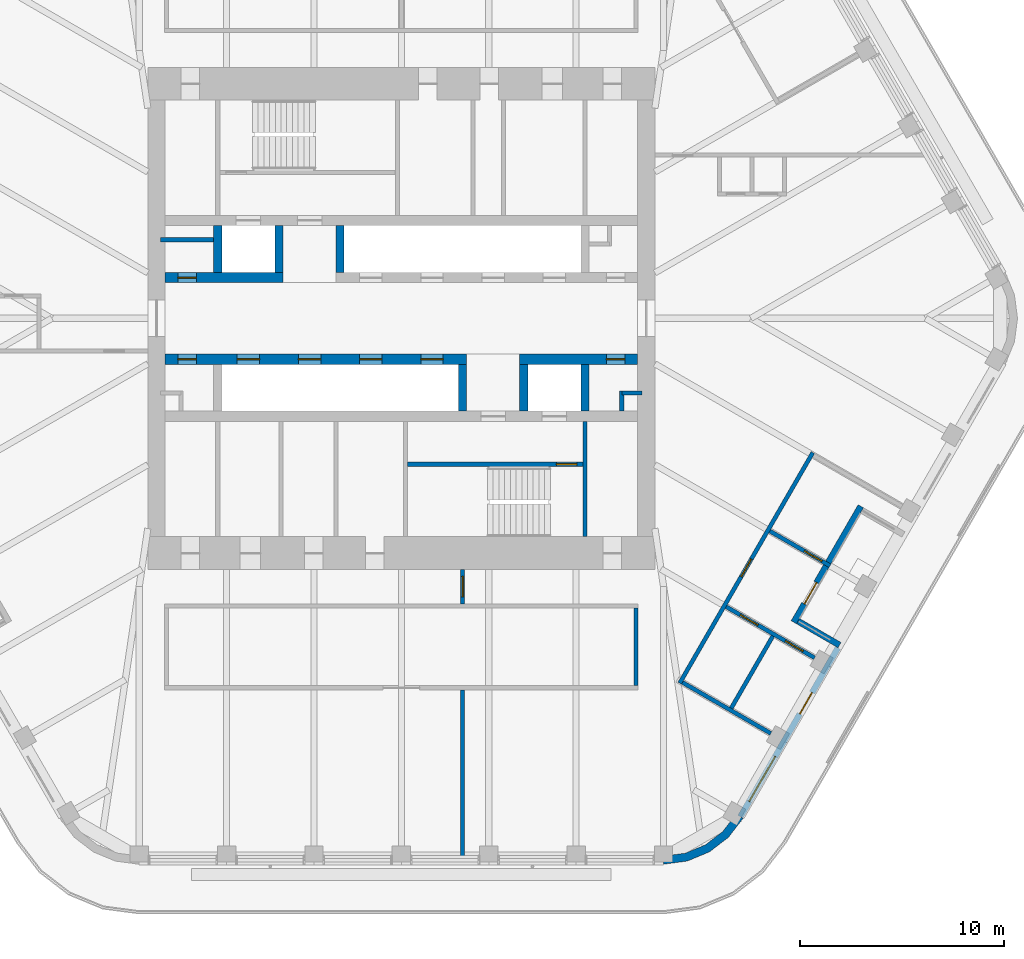
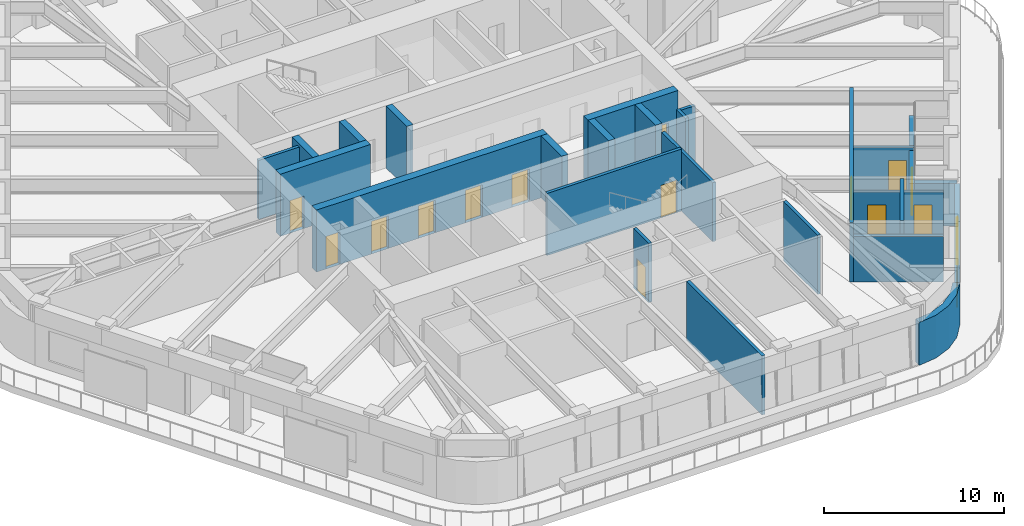
# One storey, part 14 of 19: 26 walls, 15 doors, 1 window, 16 openings.
"""IFC4 building model written with IfcOpenShell, lengths in metres."""

from ifc_helpers import new_model, si_unit, direction, frame, frame_2d, origin, place, context, subcontext, project, spatial, polyline, rectangle, outline, extrude, material, layer, layer_set, type_object, element, fill, save


model = new_model("IFC4")

# Units and contexts
model_context = context("Model", 3, precision=1e-05, world=origin(), true_north=direction((0.0, 1.0)))
body_context = subcontext(model_context, "Body", "Model", "MODEL_VIEW")
ifc_project = project(units=[si_unit("LENGTHUNIT", "METRE"), si_unit("AREAUNIT", "SQUARE_METRE"), si_unit("VOLUMEUNIT", "CUBIC_METRE"), si_unit("PLANEANGLEUNIT", "RADIAN"), si_unit("MASSUNIT", "GRAM", prefix="KILO")], contexts=[model_context])

# Site, building, storey
site_placement = place(None, origin())
site = spatial("IfcSite", under=ifc_project, at=site_placement, CompositionType="ELEMENT")
building_placement = place(site_placement, origin())
building = spatial("IfcBuilding", under=site, at=building_placement, Name="Tarfa Lantern Tower", CompositionType="ELEMENT")
storey_placement = place(building_placement, frame((0.0, 0.0, 361.89990234375)))
storey = spatial("IfcBuildingStorey", under=building, at=storey_placement, Name="L82", CompositionType="ELEMENT", Elevation=361.89990234375)

# Wall, openings, door, window
ifc_material_1 = material(Name="Limestone cladding on blockwork", Category="masonry")
ifc_layer_1 = layer(ifc_material_1, 0.300048828125)
ifc_layer_set_1 = layer_set([ifc_layer_1], Name="EW1 STONE-CLAD WALL 300")
wall_type_1 = type_object("IfcWallType", Name="EW1 STONE-CLAD WALL 300", PredefinedType="SOLIDWALL", material=ifc_layer_set_1)
wall_1_placement = place(storey_placement, frame((16.61328125, -24.425048828125, 0.0), z_axis=(0.0, 0.0, 1.0), x_axis=(0.499996453679, 0.866027451244, 0.0)))
wall_1 = element("IfcWall", 1, at=wall_1_placement, inside=storey, type_object=wall_type_1, Name="Stone wall SE", PredefinedType="SOLIDWALL", context=body_context, shape_type="SweptSolid", body=[
    extrude(rectangle(XDim=9.56396484375, YDim=0.300048828125, at=frame_2d((4.781982421875, 0.0))), origin(), (0.0, 0.0, 1.0), 2.900146484375),
])
opening_1_placement = place(wall_1_placement, frame((0.865966796875, 0.0, 0.60009765625)))
opening_1 = element("IfcOpeningElement", 2, at=opening_1_placement, cuts=wall_1, Name="Opening W17", PredefinedType="OPENING", context=body_context, shape_type="SweptSolid", body=[
    extrude(rectangle(XDim=2.550048828125, YDim=2.050048828125, at=frame_2d((1.27490234375, 1.02490234375))), frame((0.0, 0.159912109375, 0.0), z_axis=(0.0, -1.0, 0.0), x_axis=(1.0, 0.0, 0.0)), (0.0, 0.0, 1.0), 0.320068359375),
])
opening_2_placement = place(wall_1_placement, frame((5.822998046875, 0.0, 0.0)))
opening_2 = element("IfcOpeningElement", 3, at=opening_2_placement, cuts=wall_1, Name="Opening D40", PredefinedType="OPENING", context=body_context, shape_type="SweptSolid", body=[
    extrude(rectangle(XDim=1.199951171875, YDim=2.39990234375, at=frame_2d((0.60009765625, 1.199951171875))), frame((0.0, 0.159912109375, 0.0), z_axis=(0.0, -1.0, 0.0), x_axis=(1.0, 0.0, 0.0)), (0.0, 0.0, 1.0), 0.320068359375),
])
ifc_material_2 = material(Name="Aluminium framed glazed door", Category="aluminium")
door_type_1 = type_object("IfcDoorType", Name="BE3 BALCONY DOOR 1200x2400", OperationType="SINGLE_SWING_RIGHT", PredefinedType="DOOR", material=ifc_material_2)
door_1_placement = place(opening_2_placement, origin())
door_1 = element("IfcDoor", 4, at=door_1_placement, inside=storey, type_object=door_type_1, Name="Balcony door SE", OperationType="SINGLE_SWING_LEFT", OverallHeight=2.39990234375, OverallWidth=1.199951171875, PredefinedType="DOOR", context=body_context, shape_type="SweptSolid", body=[
    extrude(rectangle(XDim=1.199951171875, YDim=2.39990234375, at=frame_2d((0.60009765625, 1.199951171875))), frame((0.0, 0.02490234375, 0.0), z_axis=(0.0, -1.0, 0.0), x_axis=(1.0, 0.0, 0.0)), (0.0, 0.0, 1.0), 0.050048828125),
])
fill(opening_2, door_1)
ifc_material_3 = material(Name="Aluminium frame, double glazed", Category="aluminium")
window_type = type_object("IfcWindowType", Name="W17 FULL-HEIGHT GLAZING 2550x2050", PartitioningType="SINGLE_PANEL", PredefinedType="WINDOW", material=ifc_material_3)
window_placement = place(opening_1_placement, origin())
window = element("IfcWindow", 5, at=window_placement, inside=storey, type_object=window_type, Name="Window SE 1", OverallHeight=2.050048828125, OverallWidth=2.550048828125, PartitioningType="SINGLE_PANEL", PredefinedType="WINDOW", context=body_context, shape_type="SweptSolid", body=[
    extrude(rectangle(XDim=2.550048828125, YDim=2.050048828125, at=frame_2d((1.27490234375, 1.02490234375))), frame((0.0, 0.030029296875, 0.0), z_axis=(0.0, -1.0, 0.0), x_axis=(1.0, 0.0, 0.0)), (0.0, 0.0, 1.0), 0.06005859375),
])
fill(opening_1, window)

# Wall
wall_2_placement = place(storey_placement, frame((21.47021484375, -16.012451171875, 0.0), z_axis=(0.0, 0.0, 1.0), x_axis=(-0.866016039709, 0.500016218704, 0.0)))
element("IfcWall", 6, at=wall_2_placement, inside=storey, type_object=wall_type_1, Name="Terrace return SE 1", PredefinedType="SOLIDWALL", context=body_context, shape_type="SweptSolid", body=[
    extrude(rectangle(XDim=2.35009765625, YDim=0.300048828125, at=frame_2d((1.175048828125, 0.0))), origin(), (0.0, 0.0, 1.0), 2.900146484375),
])

# Wall, opening, door
wall_3_placement = place(storey_placement, frame((19.230224609375, -14.892333984375, 0.0), z_axis=(0.0, 0.0, 1.0), x_axis=(0.499999339774, 0.866025784966, 0.0)))
wall_3 = element("IfcWall", 7, at=wall_3_placement, inside=storey, type_object=wall_type_1, Name="Stone wall SES", PredefinedType="SOLIDWALL", context=body_context, shape_type="SweptSolid", body=[
    extrude(rectangle(XDim=6.56396484375, YDim=0.300048828125, at=frame_2d((3.281982421875, 0.0))), origin(), (0.0, 0.0, 1.0), 2.900146484375),
])
opening_3_placement = place(wall_3_placement, frame((1.041015625, 0.0, 0.0)))
opening_3 = element("IfcOpeningElement", 8, at=opening_3_placement, cuts=wall_3, Name="Opening D41", PredefinedType="OPENING", context=body_context, shape_type="SweptSolid", body=[
    extrude(rectangle(XDim=1.199951171875, YDim=2.39990234375, at=frame_2d((0.60009765625, 1.199951171875))), frame((0.0, 0.159912109375, 0.0), z_axis=(0.0, -1.0, 0.0), x_axis=(1.0, 0.0, 0.0)), (0.0, 0.0, 1.0), 0.320068359375),
])
door_2_placement = place(opening_3_placement, origin())
door_2 = element("IfcDoor", 9, at=door_2_placement, inside=storey, type_object=door_type_1, Name="Balcony door SES", OperationType="SINGLE_SWING_LEFT", OverallHeight=2.39990234375, OverallWidth=1.199951171875, PredefinedType="DOOR", context=body_context, shape_type="SweptSolid", body=[
    extrude(rectangle(XDim=1.199951171875, YDim=2.39990234375, at=frame_2d((0.60009765625, 1.199951171875))), frame((0.0, 0.02490234375, 0.0), z_axis=(0.0, -1.0, 0.0), x_axis=(1.0, 0.0, 0.0)), (0.0, 0.0, 1.0), 0.050048828125),
])
fill(opening_3, door_2)

# Walls
ifc_layer_2 = layer(ifc_material_1, 0.39990234375)
ifc_layer_set_2 = layer_set([ifc_layer_2], Name="EW2 CURVED STONE CORNER 400")
wall_type_2 = type_object("IfcWallType", Name="EW2 CURVED STONE CORNER 400", PredefinedType="SOLIDWALL", material=ifc_layer_set_2)
wall_4_placement = place(storey_placement, origin())
element("IfcWall", 10, at=wall_4_placement, inside=storey, type_object=wall_type_2, Name="Stone corner S-SE", PredefinedType="SOLIDWALL", context=body_context, shape_type="SweptSolid", body=[
    extrude(outline(polyline([(12.845947265625, -26.75), (14.0107421875, -26.5966796875), (15.095947265625, -26.147216796875), (16.028076171875, -25.431884765625), (16.7431640625, -24.5), (16.396728515625, -24.300048828125), (15.7451171875, -25.149169921875), (14.89599609375, -25.80078125), (13.9072265625, -26.210205078125), (12.845947265625, -26.35009765625), (12.845947265625, -26.75)])), origin(), (0.0, 0.0, 1.0), 2.900146484375),
])
ifc_material_4 = material(Name="Concrete blockwork", Category="masonry")
ifc_layer_3 = layer(ifc_material_4, 0.199951171875)
ifc_layer_set_3 = layer_set([ifc_layer_3], Name="IW1 BLOCKWORK PARTITION 200 EI 120")
wall_type_3 = type_object("IfcWallType", Name="IW1 BLOCKWORK PARTITION 200 EI 120", PredefinedType="PARTITIONING", material=ifc_layer_set_3)
wall_5_placement = place(storey_placement, frame((9.0, -5.050048828125, 0.0), z_axis=(0.0, 0.0, 1.0), x_axis=(0.0, -1.0, 0.0)))
element("IfcWall", 11, at=wall_5_placement, inside=storey, type_object=wall_type_3, Name="Core partition", PredefinedType="PARTITIONING", context=body_context, shape_type="SweptSolid", body=[
    extrude(rectangle(XDim=5.64990234375, YDim=0.199951171875, at=frame_2d((2.824951171875, 0.0))), origin(), (0.0, 0.0, 1.0), 4.0),
])
wall_6_placement = place(storey_placement, frame((-11.800048828125, 3.85009765625, 0.0), z_axis=(0.0, 0.0, 1.0), x_axis=(1.0, 0.0, 0.0)))
element("IfcWall", 12, at=wall_6_placement, inside=storey, type_object=wall_type_3, Name="Core partition", PredefinedType="PARTITIONING", context=body_context, shape_type="SweptSolid", body=[
    extrude(rectangle(XDim=2.60009765625, YDim=0.199951171875, at=frame_2d((1.300048828125, 0.0))), origin(), (0.0, 0.0, 1.0), 4.0),
])
for number, where, z_axis, x_axis, name in (
    (13, (11.800048828125, -3.64990234375, 0.0), (0.0, 0.0, 1.0), (-1.0, 0.0, 0.0), "Core partition"),
    (14, (10.800048828125, -3.550048828125, 0.0), (0.0, 0.0, 1.0), (0.0, -1.0, 0.0), "Core partition"),
):
    element("IfcWall", number, at=place(storey_placement, frame(where, z_axis=z_axis, x_axis=x_axis)), inside=storey, type_object=wall_type_3, Name=name, PredefinedType="PARTITIONING", context=body_context, shape_type="SweptSolid", body=[
        extrude(rectangle(XDim=1.0, YDim=0.199951171875, at=frame_2d((0.5, 0.0))), origin(), (0.0, 0.0, 1.0), 4.0),
    ])
ifc_material_5 = material(Name="Gypsum board on steel studs", Category="steel")
ifc_layer_4 = layer(ifc_material_5, 0.2099609375)
ifc_layer_set_4 = layer_set([ifc_layer_4], Name="IW2 ACOUSTIC PARTITION 200")
wall_type_4 = type_object("IfcWallType", Name="IW2 ACOUSTIC PARTITION 200", PredefinedType="PARTITIONING", material=ifc_layer_set_4)
wall_7_placement = place(storey_placement, frame((11.5, -14.199951171875, 0.0), z_axis=(0.0, 0.0, 1.0), x_axis=(0.0, -1.0, 0.0)))
element("IfcWall", 15, at=wall_7_placement, inside=storey, type_object=wall_type_4, Name="Partition", PredefinedType="PARTITIONING", context=body_context, shape_type="SweptSolid", body=[
    extrude(rectangle(XDim=3.800048828125, YDim=0.199951171875, at=frame_2d((1.89990234375, 0.0))), origin(), (0.0, 0.0, 1.0), 4.0),
])

# Wall, opening, door
wall_8_placement = place(storey_placement, frame((13.637939453125, -17.878173828125, 0.0), z_axis=(0.0, 0.0, 1.0), x_axis=(0.500013496215, 0.866017611601, 0.0)))
wall_8 = element("IfcWall", 16, at=wall_8_placement, inside=storey, type_object=wall_type_4, Name="Partition", PredefinedType="PARTITIONING", context=body_context, shape_type="SweptSolid", body=[
    extrude(rectangle(XDim=13.046142578125, YDim=0.199951171875, at=frame_2d((6.52294921875, 0.0))), origin(), (0.0, 0.0, 1.0), 4.0),
])
opening_4_placement = place(wall_8_placement, frame((6.02294921875, 0.0, 0.0)))
opening_4 = element("IfcOpeningElement", 17, at=opening_4_placement, cuts=wall_8, Name="Opening D23", PredefinedType="OPENING", context=body_context, shape_type="SweptSolid", body=[
    extrude(rectangle(XDim=1.0, YDim=2.199951171875, at=frame_2d((0.5, 1.10009765625))), frame((0.0, 0.10986328125, 0.0), z_axis=(0.0, -1.0, 0.0), x_axis=(1.0, 0.0, 0.0)), (0.0, 0.0, 1.0), 0.219970703125),
])
ifc_material_6 = material(Name="Timber door", Category="wood")
door_type_2 = type_object("IfcDoorType", Name="DR1 ROOM DOOR 1000x2200", OperationType="SINGLE_SWING_LEFT", PredefinedType="DOOR", material=ifc_material_6)
door_3_placement = place(opening_4_placement, frame((1.0, 0.0, 0.0), z_axis=(0.0, 0.0, 1.0), x_axis=(-1.0, 0.0, 0.0)))
door_3 = element("IfcDoor", 18, at=door_3_placement, inside=storey, type_object=door_type_2, Name="PA area door", OperationType="SINGLE_SWING_LEFT", OverallHeight=2.199951171875, OverallWidth=1.0, PredefinedType="DOOR", context=body_context, shape_type="SweptSolid", body=[
    extrude(rectangle(XDim=1.0, YDim=2.199951171875, at=frame_2d((0.5, 1.10009765625))), frame((0.0, 0.02490234375, 0.0), z_axis=(0.0, -1.0, 0.0), x_axis=(1.0, 0.0, 0.0)), (0.0, 0.0, 1.0), 0.050048828125),
])
fill(opening_4, door_3)

# Wall
wall_9_placement = place(storey_placement, frame((13.774658203125, -17.841552734375, 0.0), z_axis=(0.0, 0.0, 1.0), x_axis=(0.866022959057, -0.500004234368, 0.0)))
element("IfcWall", 19, at=wall_9_placement, inside=storey, type_object=wall_type_4, Name="Partition", PredefinedType="PARTITIONING", context=body_context, shape_type="SweptSolid", body=[
    extrude(rectangle(XDim=5.0, YDim=0.199951171875, at=frame_2d((2.5, 0.0))), origin(), (0.0, 0.0, 1.0), 3.081787109375),
])

# Wall, openings, doors
wall_10_placement = place(storey_placement, frame((15.91552734375, -14.13330078125, 0.0), z_axis=(0.0, 0.0, 1.0), x_axis=(0.866035165624, -0.499983091616, 0.0)))
wall_10 = element("IfcWall", 20, at=wall_10_placement, inside=storey, type_object=wall_type_4, Name="Partition", PredefinedType="PARTITIONING", context=body_context, shape_type="SweptSolid", body=[
    extrude(rectangle(XDim=5.000244140625, YDim=0.199951171875, at=frame_2d((2.5, 0.0))), origin(), (0.0, 0.0, 1.0), 3.081787109375),
])
opening_5_placement = place(wall_10_placement, frame((0.800048828125, 0.0, 0.0)))
opening_5 = element("IfcOpeningElement", 21, at=opening_5_placement, cuts=wall_10, Name="Opening D25", PredefinedType="OPENING", context=body_context, shape_type="SweptSolid", body=[
    extrude(rectangle(XDim=1.0, YDim=2.199951171875, at=frame_2d((0.5, 1.10009765625))), frame((0.0, 0.10986328125, 0.0), z_axis=(0.0, -1.0, 0.0), x_axis=(1.0, 0.0, 0.0)), (0.0, 0.0, 1.0), 0.219970703125),
])
opening_6_placement = place(wall_10_placement, frame((3.35009765625, 0.0, 0.0)))
opening_6 = element("IfcOpeningElement", 22, at=opening_6_placement, cuts=wall_10, Name="Opening D26", PredefinedType="OPENING", context=body_context, shape_type="SweptSolid", body=[
    extrude(rectangle(XDim=1.0, YDim=2.199951171875, at=frame_2d((0.5, 1.10009765625))), frame((0.0, 0.10986328125, 0.0), z_axis=(0.0, -1.0, 0.0), x_axis=(1.0, 0.0, 0.0)), (0.0, 0.0, 1.0), 0.219970703125),
])
door_4_placement = place(opening_5_placement, frame((1.0, 0.0, 0.0), z_axis=(0.0, 0.0, 1.0), x_axis=(-1.0, 0.0, 0.0)))
door_4 = element("IfcDoor", 23, at=door_4_placement, inside=storey, type_object=door_type_2, Name="Pantry door", OperationType="SINGLE_SWING_LEFT", OverallHeight=2.199951171875, OverallWidth=1.0, PredefinedType="DOOR", context=body_context, shape_type="SweptSolid", body=[
    extrude(rectangle(XDim=1.0, YDim=2.199951171875, at=frame_2d((0.5, 1.10009765625))), frame((0.0, 0.02490234375, 0.0), z_axis=(0.0, -1.0, 0.0), x_axis=(1.0, 0.0, 0.0)), (0.0, 0.0, 1.0), 0.050048828125),
])
fill(opening_5, door_4)
door_5_placement = place(opening_6_placement, frame((1.0, 0.0, 0.0), z_axis=(0.0, 0.0, 1.0), x_axis=(-1.0, 0.0, 0.0)))
door_5 = element("IfcDoor", 24, at=door_5_placement, inside=storey, type_object=door_type_2, Name="Private lounge door", OperationType="SINGLE_SWING_LEFT", OverallHeight=2.199951171875, OverallWidth=1.0, PredefinedType="DOOR", context=body_context, shape_type="SweptSolid", body=[
    extrude(rectangle(XDim=1.0, YDim=2.199951171875, at=frame_2d((0.5, 1.10009765625))), frame((0.0, 0.02490234375, 0.0), z_axis=(0.0, -1.0, 0.0), x_axis=(1.0, 0.0, 0.0)), (0.0, 0.0, 1.0), 0.050048828125),
])
fill(opening_6, door_5)

# Wall, opening, door
wall_11_placement = place(storey_placement, frame((18.056640625, -10.425048828125, 0.0), z_axis=(0.0, 0.0, 1.0), x_axis=(0.866030179784, -0.499991727635, 0.0)))
wall_11 = element("IfcWall", 25, at=wall_11_placement, inside=storey, type_object=wall_type_4, Name="Partition", PredefinedType="PARTITIONING", context=body_context, shape_type="SweptSolid", body=[
    extrude(rectangle(XDim=3.40087890625, YDim=0.199951171875, at=frame_2d((1.700439453125, 0.0))), origin(), (0.0, 0.0, 1.0), 3.081787109375),
])
opening_7_placement = place(wall_11_placement, frame((1.949951171875, 0.0, 0.0)))
opening_7 = element("IfcOpeningElement", 26, at=opening_7_placement, cuts=wall_11, Name="Opening D24", PredefinedType="OPENING", context=body_context, shape_type="SweptSolid", body=[
    extrude(rectangle(XDim=1.0, YDim=2.199951171875, at=frame_2d((0.5, 1.10009765625))), frame((0.0, 0.10986328125, 0.0), z_axis=(0.0, -1.0, 0.0), x_axis=(1.0, 0.0, 0.0)), (0.0, 0.0, 1.0), 0.219970703125),
])
door_6_placement = place(opening_7_placement, origin())
door_6 = element("IfcDoor", 27, at=door_6_placement, inside=storey, type_object=door_type_2, Name="Executive office door", OperationType="SINGLE_SWING_LEFT", OverallHeight=2.199951171875, OverallWidth=1.0, PredefinedType="DOOR", context=body_context, shape_type="SweptSolid", body=[
    extrude(rectangle(XDim=1.0, YDim=2.199951171875, at=frame_2d((0.5, 1.10009765625))), frame((0.0, 0.02490234375, 0.0), z_axis=(0.0, -1.0, 0.0), x_axis=(1.0, 0.0, 0.0)), (0.0, 0.0, 1.0), 0.050048828125),
])
fill(opening_7, door_6)

# Wall
wall_12_placement = place(storey_placement, frame((16.162841796875, -19.10498046875, 0.0), z_axis=(0.0, 0.0, 1.0), x_axis=(0.499998569178, 0.866026229868, 0.0)))
element("IfcWall", 28, at=wall_12_placement, inside=storey, type_object=wall_type_4, Name="Partition", PredefinedType="PARTITIONING", context=body_context, shape_type="SweptSolid", body=[
    extrude(rectangle(XDim=4.08203125, YDim=0.199951171875, at=frame_2d((2.041015625, 0.0))), origin(), (0.0, 0.0, 1.0), 4.0),
])

# Wall, opening, door
wall_13_placement = place(storey_placement, frame((3.0, -12.300048828125, 0.0), z_axis=(0.0, 0.0, 1.0), x_axis=(0.0, -1.0, 0.0)))
wall_13 = element("IfcWall", 29, at=wall_13_placement, inside=storey, type_object=wall_type_4, Name="Partition", PredefinedType="PARTITIONING", context=body_context, shape_type="SweptSolid", body=[
    extrude(rectangle(XDim=1.699951171875, YDim=0.199951171875, at=frame_2d((0.85009765625, 0.0))), origin(), (0.0, 0.0, 1.0), 4.0),
])
opening_8_placement = place(wall_13_placement, frame((0.35009765625, 0.0, 0.0)))
opening_8 = element("IfcOpeningElement", 30, at=opening_8_placement, cuts=wall_13, Name="Opening D36", PredefinedType="OPENING", context=body_context, shape_type="SweptSolid", body=[
    extrude(rectangle(XDim=1.0, YDim=2.199951171875, at=frame_2d((0.5, 1.10009765625))), frame((0.0, 0.10986328125, 0.0), z_axis=(0.0, -1.0, 0.0), x_axis=(1.0, 0.0, 0.0)), (0.0, 0.0, 1.0), 0.219970703125),
])
door_7_placement = place(opening_8_placement, frame((1.0, 0.0, 0.0), z_axis=(0.0, 0.0, 1.0), x_axis=(-1.0, 0.0, 0.0)))
door_7 = element("IfcDoor", 31, at=door_7_placement, inside=storey, type_object=door_type_2, Name="Zone door", OperationType="SINGLE_SWING_RIGHT", OverallHeight=2.199951171875, OverallWidth=1.0, PredefinedType="DOOR", context=body_context, shape_type="SweptSolid", body=[
    extrude(rectangle(XDim=1.0, YDim=2.199951171875, at=frame_2d((0.5, 1.10009765625))), frame((0.0, 0.02490234375, 0.0), z_axis=(0.0, -1.0, 0.0), x_axis=(1.0, 0.0, 0.0)), (0.0, 0.0, 1.0), 0.050048828125),
])
fill(opening_8, door_7)

# Wall
wall_14_placement = place(storey_placement, frame((3.0, -18.199951171875, 0.0), z_axis=(0.0, 0.0, 1.0), x_axis=(0.0, -1.0, 0.0)))
element("IfcWall", 32, at=wall_14_placement, inside=storey, type_object=wall_type_4, Name="Partition", PredefinedType="PARTITIONING", context=body_context, shape_type="SweptSolid", body=[
    extrude(rectangle(XDim=8.35009765625, YDim=0.199951171875, at=frame_2d((4.175048828125, 0.0))), origin(), (0.0, 0.0, 1.0), 4.0),
])

# Wall, opening, door
ifc_material_7 = material(Name="Concrete C80/95", Category="concrete")
ifc_layer_5 = layer(ifc_material_7, 0.199951171875)
ifc_layer_set_5 = layer_set([ifc_layer_5], Name="SW12 CORE WALL 200")
wall_type_5 = type_object("IfcWallType", Name="SW12 CORE WALL 200", PredefinedType="SHEAR", material=ifc_layer_set_5)
wall_15_placement = place(storey_placement, frame((8.89990234375, -7.14990234375, 0.0), z_axis=(0.0, 0.0, 1.0), x_axis=(-1.0, 0.0, 0.0)))
wall_15 = element("IfcWall", 33, at=wall_15_placement, inside=storey, type_object=wall_type_5, Name="Core wall stair partition S", PredefinedType="SHEAR", context=body_context, shape_type="SweptSolid", body=[
    extrude(rectangle(XDim=8.599853515625, YDim=0.199951171875, at=frame_2d((4.2998046875, 0.0))), origin(), (0.0, 0.0, 1.0), 4.2001953125),
])
opening_9_placement = place(wall_15_placement, frame((0.300048828125, 0.0, 0.0)))
opening_9 = element("IfcOpeningElement", 34, at=opening_9_placement, cuts=wall_15, Name="Opening D20", PredefinedType="OPENING", context=body_context, shape_type="SweptSolid", body=[
    extrude(rectangle(XDim=1.0, YDim=2.199951171875, at=frame_2d((0.5, 1.10009765625))), frame((0.0, 0.10986328125, 0.0), z_axis=(0.0, -1.0, 0.0), x_axis=(1.0, 0.0, 0.0)), (0.0, 0.0, 1.0), 0.219970703125),
])
ifc_material_8 = material(Name="Steel fire door", Category="steel")
door_type_3 = type_object("IfcDoorType", Name="DF2 STAIR DOOR 1000x2200", OperationType="SINGLE_SWING_LEFT", PredefinedType="DOOR", material=ifc_material_8)
door_8_placement = place(opening_9_placement, origin())
door_8 = element("IfcDoor", 35, at=door_8_placement, inside=storey, type_object=door_type_3, Name="Stair door", OperationType="SINGLE_SWING_RIGHT", OverallHeight=2.199951171875, OverallWidth=1.0, PredefinedType="DOOR", context=body_context, shape_type="SweptSolid", body=[
    extrude(rectangle(XDim=1.0, YDim=2.199951171875, at=frame_2d((0.5, 1.10009765625))), frame((0.0, 0.02490234375, 0.0), z_axis=(0.0, -1.0, 0.0), x_axis=(1.0, 0.0, 0.0)), (0.0, 0.0, 1.0), 0.050048828125),
])
fill(opening_9, door_8)

ifc_layer_6 = layer(ifc_material_7, 0.5)
ifc_layer_set_6 = layer_set([ifc_layer_6], Name="SW5 CORE WALL 500")
wall_type_6 = type_object("IfcWallType", Name="SW5 CORE WALL 500", PredefinedType="SHEAR", material=ifc_layer_set_6)
wall_16_placement = place(storey_placement, frame((-11.574951171875, 2.0, 0.0), z_axis=(0.0, 0.0, 1.0), x_axis=(1.0, 0.0, 0.0)))
wall_16 = element("IfcWall", 36, at=wall_16_placement, inside=storey, type_object=wall_type_6, Name="Core wall lobby west N", PredefinedType="SHEAR", context=body_context, shape_type="SweptSolid", body=[
    extrude(rectangle(XDim=5.77490234375, YDim=0.5, at=frame_2d((2.887451171875, 0.0))), origin(), (0.0, 0.0, 1.0), 4.2001953125),
])
opening_10_placement = place(wall_16_placement, frame((0.625, 0.0, 0.0)))
opening_10 = element("IfcOpeningElement", 37, at=opening_10_placement, cuts=wall_16, Name="Opening D11", PredefinedType="OPENING", context=body_context, shape_type="SweptSolid", body=[
    extrude(rectangle(XDim=0.89990234375, YDim=2.199951171875, at=frame_2d((0.449951171875, 1.10009765625))), frame((0.0, 0.260009765625, 0.0), z_axis=(0.0, -1.0, 0.0), x_axis=(1.0, 0.0, 0.0)), (0.0, 0.0, 1.0), 0.52001953125),
])
door_type_4 = type_object("IfcDoorType", Name="DF6 SERVICE ROOM DOOR 900x2200", OperationType="SINGLE_SWING_LEFT", PredefinedType="DOOR", material=ifc_material_8)
door_9_placement = place(opening_10_placement, origin())
door_9 = element("IfcDoor", 38, at=door_9_placement, inside=storey, type_object=door_type_4, Name="Service room door", OperationType="SINGLE_SWING_RIGHT", OverallHeight=2.199951171875, OverallWidth=0.89990234375, PredefinedType="DOOR", context=body_context, shape_type="SweptSolid", body=[
    extrude(rectangle(XDim=0.89990234375, YDim=2.199951171875, at=frame_2d((0.449951171875, 1.10009765625))), frame((0.0, 0.02490234375, 0.0), z_axis=(0.0, -1.0, 0.0), x_axis=(1.0, 0.0, 0.0)), (0.0, 0.0, 1.0), 0.050048828125),
])
fill(opening_10, door_9)

wall_17_placement = place(storey_placement, frame((11.574951171875, -2.0, 0.0), z_axis=(0.0, 0.0, 1.0), x_axis=(-1.0, 0.0, 0.0)))
wall_17 = element("IfcWall", 39, at=wall_17_placement, inside=storey, type_object=wall_type_6, Name="Core wall lobby west S", PredefinedType="SHEAR", context=body_context, shape_type="SweptSolid", body=[
    extrude(rectangle(XDim=5.77490234375, YDim=0.5, at=frame_2d((2.887451171875, 0.0))), origin(), (0.0, 0.0, 1.0), 4.2001953125),
])
opening_11_placement = place(wall_17_placement, frame((0.625, 0.0, 0.0)))
opening_11 = element("IfcOpeningElement", 40, at=opening_11_placement, cuts=wall_17, Name="Opening D12", PredefinedType="OPENING", context=body_context, shape_type="SweptSolid", body=[
    extrude(rectangle(XDim=0.89990234375, YDim=2.199951171875, at=frame_2d((0.449951171875, 1.10009765625))), frame((0.0, 0.260009765625, 0.0), z_axis=(0.0, -1.0, 0.0), x_axis=(1.0, 0.0, 0.0)), (0.0, 0.0, 1.0), 0.52001953125),
])
door_10_placement = place(opening_11_placement, origin())
door_10 = element("IfcDoor", 41, at=door_10_placement, inside=storey, type_object=door_type_4, Name="Service room door", OperationType="SINGLE_SWING_RIGHT", OverallHeight=2.199951171875, OverallWidth=0.89990234375, PredefinedType="DOOR", context=body_context, shape_type="SweptSolid", body=[
    extrude(rectangle(XDim=0.89990234375, YDim=2.199951171875, at=frame_2d((0.449951171875, 1.10009765625))), frame((0.0, 0.02490234375, 0.0), z_axis=(0.0, -1.0, 0.0), x_axis=(1.0, 0.0, 0.0)), (0.0, 0.0, 1.0), 0.050048828125),
])
fill(opening_11, door_10)

# Wall, openings, doors
wall_18_placement = place(storey_placement, frame((3.199951171875, -2.0, 0.0), z_axis=(0.0, 0.0, 1.0), x_axis=(-1.0, 0.0, 0.0)))
wall_18 = element("IfcWall", 42, at=wall_18_placement, inside=storey, type_object=wall_type_6, Name="Core wall lobby east S", PredefinedType="SHEAR", context=body_context, shape_type="SweptSolid", body=[
    extrude(rectangle(XDim=14.77490234375, YDim=0.5, at=frame_2d((7.387451171875, 0.0))), origin(), (0.0, 0.0, 1.0), 4.2001953125),
])
opening_12_placement = place(wall_18_placement, frame((13.25, 0.0, 0.0)))
opening_12 = element("IfcOpeningElement", 43, at=opening_12_placement, cuts=wall_18, Name="Opening D10", PredefinedType="OPENING", context=body_context, shape_type="SweptSolid", body=[
    extrude(rectangle(XDim=0.89990234375, YDim=2.199951171875, at=frame_2d((0.449951171875, 1.10009765625))), frame((0.0, 0.260009765625, 0.0), z_axis=(0.0, -1.0, 0.0), x_axis=(1.0, 0.0, 0.0)), (0.0, 0.0, 1.0), 0.52001953125),
])
opening_13_placement = place(wall_18_placement, frame((1.14990234375, 0.0, 0.0)))
opening_13 = element("IfcOpeningElement", 44, at=opening_13_placement, cuts=wall_18, Name="Opening LD07", PredefinedType="OPENING", context=body_context, shape_type="SweptSolid", body=[
    extrude(rectangle(XDim=1.10009765625, YDim=2.199951171875, at=frame_2d((0.550048828125, 1.10009765625))), frame((0.0, 0.260009765625, 0.0), z_axis=(0.0, -1.0, 0.0), x_axis=(1.0, 0.0, 0.0)), (0.0, 0.0, 1.0), 0.52001953125),
])
opening_14_placement = place(wall_18_placement, frame((4.14990234375, 0.0, 0.0)))
opening_14 = element("IfcOpeningElement", 45, at=opening_14_placement, cuts=wall_18, Name="Opening LD08", PredefinedType="OPENING", context=body_context, shape_type="SweptSolid", body=[
    extrude(rectangle(XDim=1.10009765625, YDim=2.199951171875, at=frame_2d((0.550048828125, 1.10009765625))), frame((0.0, 0.260009765625, 0.0), z_axis=(0.0, -1.0, 0.0), x_axis=(1.0, 0.0, 0.0)), (0.0, 0.0, 1.0), 0.52001953125),
])
opening_15_placement = place(wall_18_placement, frame((7.14990234375, 0.0, 0.0)))
opening_15 = element("IfcOpeningElement", 46, at=opening_15_placement, cuts=wall_18, Name="Opening LD09", PredefinedType="OPENING", context=body_context, shape_type="SweptSolid", body=[
    extrude(rectangle(XDim=1.10009765625, YDim=2.199951171875, at=frame_2d((0.550048828125, 1.10009765625))), frame((0.0, 0.260009765625, 0.0), z_axis=(0.0, -1.0, 0.0), x_axis=(1.0, 0.0, 0.0)), (0.0, 0.0, 1.0), 0.52001953125),
])
opening_16_placement = place(wall_18_placement, frame((10.14990234375, 0.0, 0.0)))
opening_16 = element("IfcOpeningElement", 47, at=opening_16_placement, cuts=wall_18, Name="Opening LD10", PredefinedType="OPENING", context=body_context, shape_type="SweptSolid", body=[
    extrude(rectangle(XDim=1.10009765625, YDim=2.199951171875, at=frame_2d((0.550048828125, 1.10009765625))), frame((0.0, 0.260009765625, 0.0), z_axis=(0.0, -1.0, 0.0), x_axis=(1.0, 0.0, 0.0)), (0.0, 0.0, 1.0), 0.52001953125),
])
door_11_placement = place(opening_12_placement, origin())
door_11 = element("IfcDoor", 48, at=door_11_placement, inside=storey, type_object=door_type_4, Name="Service room door", OperationType="SINGLE_SWING_LEFT", OverallHeight=2.199951171875, OverallWidth=0.89990234375, PredefinedType="DOOR", context=body_context, shape_type="SweptSolid", body=[
    extrude(rectangle(XDim=0.89990234375, YDim=2.199951171875, at=frame_2d((0.449951171875, 1.10009765625))), frame((0.0, 0.02490234375, 0.0), z_axis=(0.0, -1.0, 0.0), x_axis=(1.0, 0.0, 0.0)), (0.0, 0.0, 1.0), 0.050048828125),
])
fill(opening_12, door_11)
ifc_material_9 = material(Name="Stainless steel lift door", Category="steel")
door_type_5 = type_object("IfcDoorType", Name="LD2 LIFT LANDING DOOR 1100x2200", OperationType="SLIDING_TO_LEFT", PredefinedType="DOOR", material=ifc_material_9)
door_12_placement = place(opening_13_placement, frame((1.10009765625, 0.0, 0.0), z_axis=(0.0, 0.0, 1.0), x_axis=(-1.0, 0.0, 0.0)))
door_12 = element("IfcDoor", 49, at=door_12_placement, inside=storey, type_object=door_type_5, Name="Landing door PD5", OperationType="SLIDING_TO_LEFT", OverallHeight=2.199951171875, OverallWidth=1.10009765625, PredefinedType="DOOR", context=body_context, shape_type="SweptSolid", body=[
    extrude(rectangle(XDim=1.10009765625, YDim=2.199951171875, at=frame_2d((0.550048828125, 1.10009765625))), frame((0.0, 0.02490234375, 0.0), z_axis=(0.0, -1.0, 0.0), x_axis=(1.0, 0.0, 0.0)), (0.0, 0.0, 1.0), 0.050048828125),
])
fill(opening_13, door_12)
door_13_placement = place(opening_14_placement, frame((1.10009765625, 0.0, 0.0), z_axis=(0.0, 0.0, 1.0), x_axis=(-1.0, 0.0, 0.0)))
door_13 = element("IfcDoor", 50, at=door_13_placement, inside=storey, type_object=door_type_5, Name="Landing door PD6", OperationType="SLIDING_TO_LEFT", OverallHeight=2.199951171875, OverallWidth=1.10009765625, PredefinedType="DOOR", context=body_context, shape_type="SweptSolid", body=[
    extrude(rectangle(XDim=1.10009765625, YDim=2.199951171875, at=frame_2d((0.550048828125, 1.10009765625))), frame((0.0, 0.02490234375, 0.0), z_axis=(0.0, -1.0, 0.0), x_axis=(1.0, 0.0, 0.0)), (0.0, 0.0, 1.0), 0.050048828125),
])
fill(opening_14, door_13)
door_14_placement = place(opening_15_placement, frame((1.10009765625, 0.0, 0.0), z_axis=(0.0, 0.0, 1.0), x_axis=(-1.0, 0.0, 0.0)))
door_14 = element("IfcDoor", 51, at=door_14_placement, inside=storey, type_object=door_type_5, Name="Landing door PD7", OperationType="SLIDING_TO_LEFT", OverallHeight=2.199951171875, OverallWidth=1.10009765625, PredefinedType="DOOR", context=body_context, shape_type="SweptSolid", body=[
    extrude(rectangle(XDim=1.10009765625, YDim=2.199951171875, at=frame_2d((0.550048828125, 1.10009765625))), frame((0.0, 0.02490234375, 0.0), z_axis=(0.0, -1.0, 0.0), x_axis=(1.0, 0.0, 0.0)), (0.0, 0.0, 1.0), 0.050048828125),
])
fill(opening_15, door_14)
door_15_placement = place(opening_16_placement, frame((1.10009765625, 0.0, 0.0), z_axis=(0.0, 0.0, 1.0), x_axis=(-1.0, 0.0, 0.0)))
door_15 = element("IfcDoor", 52, at=door_15_placement, inside=storey, type_object=door_type_5, Name="Landing door PD8", OperationType="SLIDING_TO_LEFT", OverallHeight=2.199951171875, OverallWidth=1.10009765625, PredefinedType="DOOR", context=body_context, shape_type="SweptSolid", body=[
    extrude(rectangle(XDim=1.10009765625, YDim=2.199951171875, at=frame_2d((0.550048828125, 1.10009765625))), frame((0.0, 0.02490234375, 0.0), z_axis=(0.0, -1.0, 0.0), x_axis=(1.0, 0.0, 0.0)), (0.0, 0.0, 1.0), 0.050048828125),
])
fill(opening_16, door_15)

# Walls
ifc_layer_7 = layer(ifc_material_7, 0.39990234375)
ifc_layer_set_7 = layer_set([ifc_layer_7], Name="SW6 CORE WALL 400")
wall_type_7 = type_object("IfcWallType", Name="SW6 CORE WALL 400", PredefinedType="SHEAR", material=ifc_layer_set_7)
for number, where, z_axis, x_axis, name in (
    (53, (-9.0, 2.25, 0.0), (0.0, 0.0, 1.0), (0.0, 1.0, 0.0), "Core wall divider N"),
    (54, (-6.0, 2.25, 0.0), (0.0, 0.0, 1.0), (0.0, 1.0, 0.0), "Core wall divider N"),
    (55, (-3.0, 2.25, 0.0), (0.0, 0.0, 1.0), (0.0, 1.0, 0.0), "Core wall divider N"),
    (56, (9.0, -2.25, 0.0), (0.0, 0.0, 1.0), (0.0, -1.0, 0.0), "Core wall divider S"),
    (57, (6.0, -2.25, 0.0), (0.0, 0.0, 1.0), (0.0, -1.0, 0.0), "Core wall divider S"),
    (58, (3.0, -2.25, 0.0), (0.0, 0.0, 1.0), (0.0, -1.0, 0.0), "Core wall divider S"),
):
    element("IfcWall", number, at=place(storey_placement, frame(where, z_axis=z_axis, x_axis=x_axis)), inside=storey, type_object=wall_type_7, Name=name, PredefinedType="SHEAR", context=body_context, shape_type="SweptSolid", body=[
        extrude(rectangle(XDim=2.300048828125, YDim=0.39990234375, at=frame_2d((1.14990234375, 0.0))), origin(), (0.0, 0.0, 1.0), 4.2001953125),
    ])

save(model, "model.ifc")
